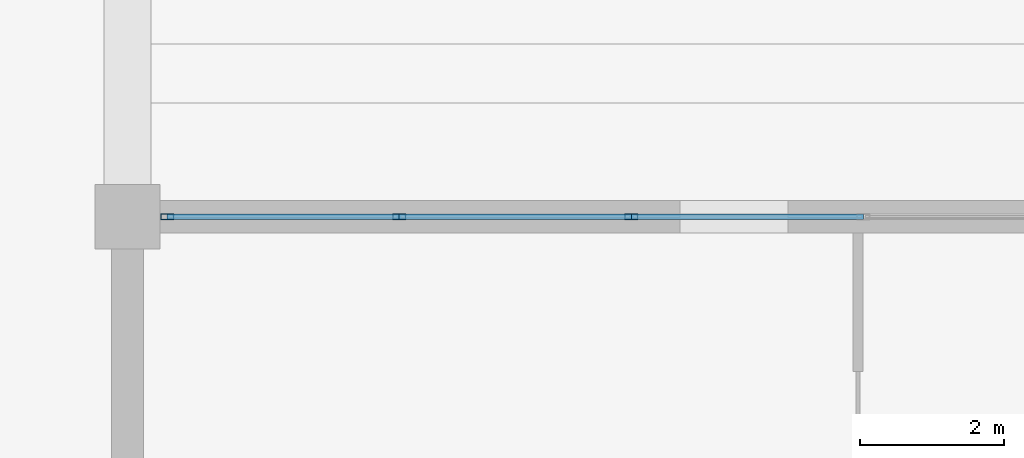
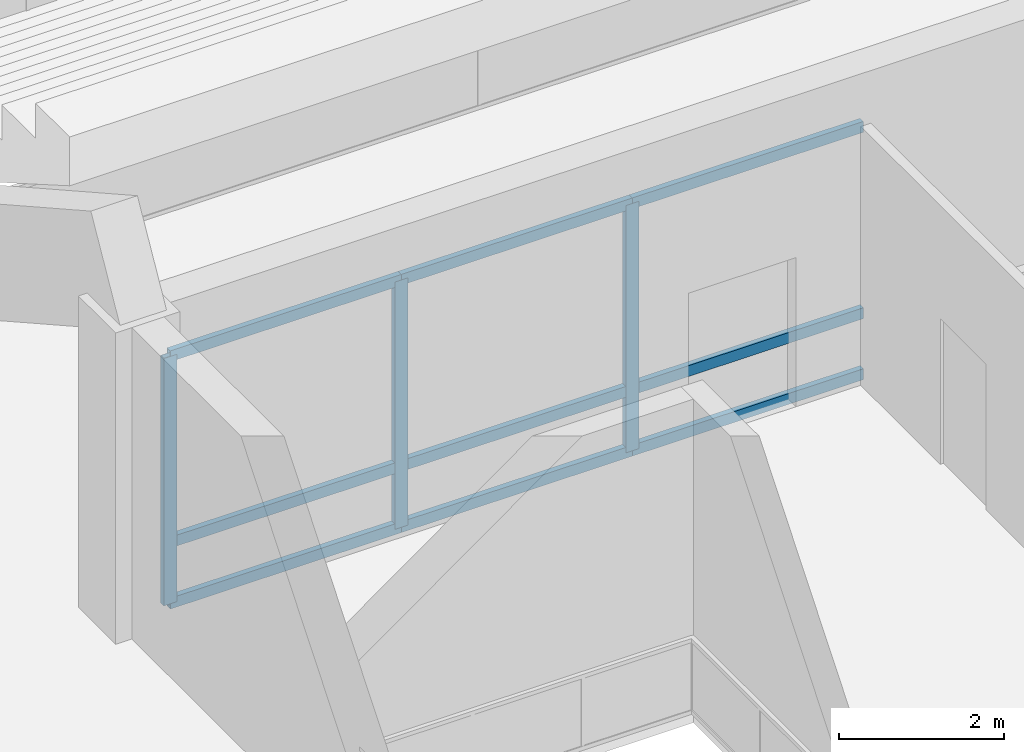
# One storey, part 18 of 94: 12 members, 1 element without a shape of its own.
"""IFC4 building model written with IfcOpenShell, lengths in metres."""

from ifc_helpers import new_model, si_unit, direction, frame, origin, origin_2d, place, context, subcontext, project, spatial, hollow_rectangle, extrude, material, material_profile, profile_set, type_object, element, aggregate, save


model = new_model("IFC4")

# Units and contexts
model_context = context("Model", 3, precision=1e-05, world=origin(), true_north=direction((0.0, 1.0)))
body_context = subcontext(model_context, "Body", "Model", "MODEL_VIEW")
ifc_project = project(units=[si_unit("LENGTHUNIT", "METRE"), si_unit("AREAUNIT", "SQUARE_METRE"), si_unit("VOLUMEUNIT", "CUBIC_METRE"), si_unit("PLANEANGLEUNIT", "RADIAN"), si_unit("MASSUNIT", "GRAM", prefix="KILO")], contexts=[model_context])

# Site, building, storey
site_placement = place(None, origin())
site = spatial("IfcSite", under=ifc_project, at=site_placement, CompositionType="ELEMENT")
building_placement = place(site_placement, origin())
building = spatial("IfcBuilding", under=site, at=building_placement, Name="Linyun Crest Stadium", CompositionType="ELEMENT")
storey_placement = place(building_placement, frame((0.0, 0.0, 16.199951171875)))
storey = spatial("IfcBuildingStorey", under=building, at=storey_placement, Name="L04", CompositionType="ELEMENT", Elevation=16.199951171875)

# Curtain wall, members
ifc_material_1 = material(Name="Verdigris steel and low-E curtain wall assembly", Category="steel")
curtain_wall_type = type_object("IfcCurtainWallType", Name="MCW01", PredefinedType="NOTDEFINED", material=ifc_material_1)
curtain_wall_placement = place(storey_placement, origin())
curtain_wall = element("IfcCurtainWall", 1, at=curtain_wall_placement, inside=storey, type_object=curtain_wall_type, Name="CWR-133", PredefinedType="NOTDEFINED")
ifc_material_2 = material(Name="Verdigris painted steel Q355B mullion", Category="steel")
ifc_material_profile_1 = material_profile(ifc_material_2, hollow_rectangle(XDim=0.080078125, YDim=0.179931640625, WallThickness=0.006103515625, at=origin_2d()), Name="RHS 180x80x6")
ifc_profile_set_1 = profile_set([ifc_material_profile_1], Name="Verdigris painted steel Q355B mullion")
member_type_1 = type_object("IfcMemberType", Name="ML02", PredefinedType="MULLION", material=ifc_profile_set_1)
member_1_placement = place(storey_placement, frame((-27.449951171875, -73.5, 0.0), z_axis=(0.0, 0.0, 1.0), x_axis=(0.0, 1.0, 0.0)))
member_1 = element("IfcMember", 2, at=member_1_placement, type_object=member_type_1, Name="CWR-133 mullion 1", PredefinedType="MULLION", context=body_context, shape_type="SweptSolid", body=[
    extrude(hollow_rectangle(XDim=0.080078125, YDim=0.179931640625, WallThickness=0.006103515625, at=origin_2d()), origin(), (0.0, 0.0, 1.0), 3.650146484375),
])
member_2_placement = place(storey_placement, frame((-24.22509765625, -73.5, 0.0), z_axis=(0.0, 0.0, 1.0), x_axis=(0.0, 1.0, 0.0)))
member_2 = element("IfcMember", 3, at=member_2_placement, type_object=member_type_1, Name="CWR-133 mullion 2", PredefinedType="MULLION", context=body_context, shape_type="SweptSolid", body=[
    extrude(hollow_rectangle(XDim=0.080078125, YDim=0.179931640625, WallThickness=0.006103515625, at=origin_2d()), origin(), (0.0, 0.0, 1.0), 3.650146484375),
])
member_3_placement = place(storey_placement, frame((-21.0, -73.5, 0.0), z_axis=(0.0, 0.0, 1.0), x_axis=(0.0, 1.0, 0.0)))
member_3 = element("IfcMember", 4, at=member_3_placement, type_object=member_type_1, Name="CWR-133 mullion 3", PredefinedType="MULLION", context=body_context, shape_type="SweptSolid", body=[
    extrude(hollow_rectangle(XDim=0.080078125, YDim=0.179931640625, WallThickness=0.006103515625, at=origin_2d()), origin(), (0.0, 0.0, 1.0), 3.650146484375),
])
ifc_material_3 = material(Name="Aluminium thermally broken transom", Category="aluminium")
ifc_material_profile_2 = material_profile(ifc_material_3, hollow_rectangle(XDim=0.080078125, YDim=0.159912109375, WallThickness=0.006103515625, at=origin_2d()), Name="RHS 160x80x6")
ifc_profile_set_2 = profile_set([ifc_material_profile_2], Name="Aluminium thermally broken transom")
member_type_2 = type_object("IfcMemberType", Name="TR01", PredefinedType="USERDEFINED", material=ifc_profile_set_2)
member_4_placement = place(storey_placement, frame((-27.449951171875, -73.5, 0.0), z_axis=(1.0, 0.0, 0.0), x_axis=(0.0, 1.0, 0.0)))
member_4 = element("IfcMember", 5, at=member_4_placement, type_object=member_type_2, Name="CWR-133 transom 1.1", ObjectType="TRANSOM", PredefinedType="USERDEFINED", context=body_context, shape_type="SweptSolid", body=[
    extrude(hollow_rectangle(XDim=0.080078125, YDim=0.159912109375, WallThickness=0.006103515625, at=origin_2d()), origin(), (0.0, 0.0, 1.0), 3.224853515625),
])
member_5_placement = place(storey_placement, frame((-27.449951171875, -73.5, 0.900146484375), z_axis=(1.0, 0.0, 0.0), x_axis=(0.0, 1.0, 0.0)))
member_5 = element("IfcMember", 6, at=member_5_placement, type_object=member_type_2, Name="CWR-133 transom 1.2", ObjectType="TRANSOM", PredefinedType="USERDEFINED", context=body_context, shape_type="SweptSolid", body=[
    extrude(hollow_rectangle(XDim=0.080078125, YDim=0.159912109375, WallThickness=0.006103515625, at=origin_2d()), origin(), (0.0, 0.0, 1.0), 3.224853515625),
])
member_6_placement = place(storey_placement, frame((-27.449951171875, -73.5, 3.650146484375), z_axis=(1.0, 0.0, 0.0), x_axis=(0.0, 1.0, 0.0)))
member_6 = element("IfcMember", 7, at=member_6_placement, type_object=member_type_2, Name="CWR-133 transom 1.3", ObjectType="TRANSOM", PredefinedType="USERDEFINED", context=body_context, shape_type="SweptSolid", body=[
    extrude(hollow_rectangle(XDim=0.080078125, YDim=0.159912109375, WallThickness=0.006103515625, at=origin_2d()), origin(), (0.0, 0.0, 1.0), 3.224853515625),
])
member_7_placement = place(storey_placement, frame((-24.22509765625, -73.5, 0.0), z_axis=(1.0, 0.0, 0.0), x_axis=(0.0, 1.0, 0.0)))
member_7 = element("IfcMember", 8, at=member_7_placement, type_object=member_type_2, Name="CWR-133 transom 2.1", ObjectType="TRANSOM", PredefinedType="USERDEFINED", context=body_context, shape_type="SweptSolid", body=[
    extrude(hollow_rectangle(XDim=0.080078125, YDim=0.159912109375, WallThickness=0.006103515625, at=origin_2d()), origin(), (0.0, 0.0, 1.0), 3.22509765625),
])
member_8_placement = place(storey_placement, frame((-24.22509765625, -73.5, 0.900146484375), z_axis=(1.0, 0.0, 0.0), x_axis=(0.0, 1.0, 0.0)))
member_8 = element("IfcMember", 9, at=member_8_placement, type_object=member_type_2, Name="CWR-133 transom 2.2", ObjectType="TRANSOM", PredefinedType="USERDEFINED", context=body_context, shape_type="SweptSolid", body=[
    extrude(hollow_rectangle(XDim=0.080078125, YDim=0.159912109375, WallThickness=0.006103515625, at=origin_2d()), origin(), (0.0, 0.0, 1.0), 3.22509765625),
])
member_9_placement = place(storey_placement, frame((-24.22509765625, -73.5, 3.650146484375), z_axis=(1.0, 0.0, 0.0), x_axis=(0.0, 1.0, 0.0)))
member_9 = element("IfcMember", 10, at=member_9_placement, type_object=member_type_2, Name="CWR-133 transom 2.3", ObjectType="TRANSOM", PredefinedType="USERDEFINED", context=body_context, shape_type="SweptSolid", body=[
    extrude(hollow_rectangle(XDim=0.080078125, YDim=0.159912109375, WallThickness=0.006103515625, at=origin_2d()), origin(), (0.0, 0.0, 1.0), 3.22509765625),
])
member_10_placement = place(storey_placement, frame((-21.0, -73.5, 0.0), z_axis=(1.0, 0.0, 0.0), x_axis=(0.0, 1.0, 0.0)))
member_10 = element("IfcMember", 11, at=member_10_placement, type_object=member_type_2, Name="CWR-133 transom 3.1", ObjectType="TRANSOM", PredefinedType="USERDEFINED", context=body_context, shape_type="SweptSolid", body=[
    extrude(hollow_rectangle(XDim=0.080078125, YDim=0.159912109375, WallThickness=0.006103515625, at=origin_2d()), origin(), (0.0, 0.0, 1.0), 3.22509765625),
])
member_11_placement = place(storey_placement, frame((-21.0, -73.5, 0.900146484375), z_axis=(1.0, 0.0, 0.0), x_axis=(0.0, 1.0, 0.0)))
member_11 = element("IfcMember", 12, at=member_11_placement, type_object=member_type_2, Name="CWR-133 transom 3.2", ObjectType="TRANSOM", PredefinedType="USERDEFINED", context=body_context, shape_type="SweptSolid", body=[
    extrude(hollow_rectangle(XDim=0.080078125, YDim=0.159912109375, WallThickness=0.006103515625, at=origin_2d()), origin(), (0.0, 0.0, 1.0), 3.22509765625),
])
member_12_placement = place(storey_placement, frame((-21.0, -73.5, 3.650146484375), z_axis=(1.0, 0.0, 0.0), x_axis=(0.0, 1.0, 0.0)))
member_12 = element("IfcMember", 13, at=member_12_placement, type_object=member_type_2, Name="CWR-133 transom 3.3", ObjectType="TRANSOM", PredefinedType="USERDEFINED", context=body_context, shape_type="SweptSolid", body=[
    extrude(hollow_rectangle(XDim=0.080078125, YDim=0.159912109375, WallThickness=0.006103515625, at=origin_2d()), origin(), (0.0, 0.0, 1.0), 3.22509765625),
])
aggregate(curtain_wall, [member_1, member_2, member_3, member_4, member_5, member_6, member_7, member_8, member_9, member_10, member_11, member_12])

save(model, "model.ifc")
